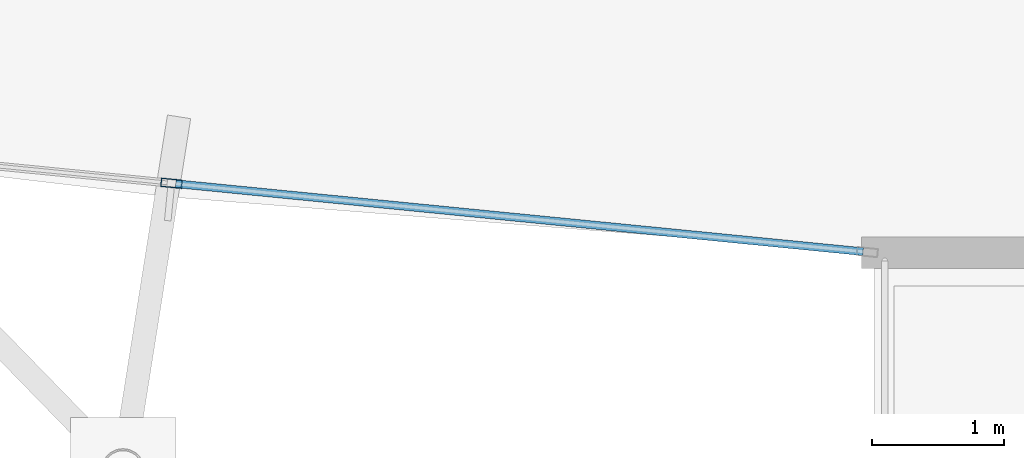
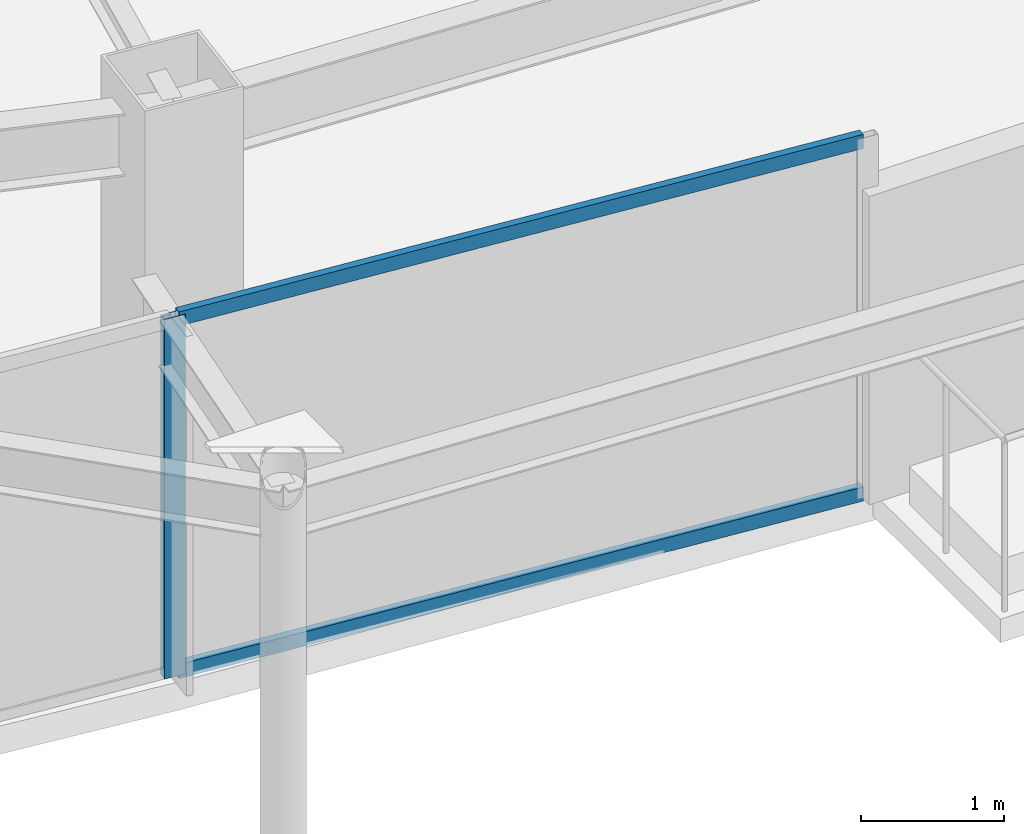
# One storey, part 4 of 34: 3 members, 1 element without a shape of its own.
"""IFC4 building model written with IfcOpenShell, lengths in metres."""

from ifc_helpers import new_model, si_unit, direction, frame, origin, origin_2d, place, context, subcontext, project, spatial, hollow_rectangle, extrude, material, layer, layer_set, material_profile, profile_set, type_object, element, aggregate, save


model = new_model("IFC4")

# Units and contexts
model_context = context("Model", 3, precision=1e-05, world=origin(), true_north=direction((0.0, 1.0)))
body_context = subcontext(model_context, "Body", "Model", "MODEL_VIEW")
ifc_project = project(units=[si_unit("LENGTHUNIT", "METRE"), si_unit("AREAUNIT", "SQUARE_METRE"), si_unit("VOLUMEUNIT", "CUBIC_METRE"), si_unit("PLANEANGLEUNIT", "RADIAN"), si_unit("MASSUNIT", "GRAM", prefix="KILO")], contexts=[model_context])

# Site, building, storey
site_placement = place(None, origin())
site = spatial("IfcSite", under=ifc_project, at=site_placement, CompositionType="ELEMENT")
building_placement = place(site_placement, origin())
building = spatial("IfcBuilding", under=site, at=building_placement, Name="Orvanel Arch Residences", CompositionType="ELEMENT")
storey_placement = place(building_placement, frame((0.0, 0.0, 203.0)))
storey = spatial("IfcBuildingStorey", under=building, at=storey_placement, Name="L57", CompositionType="ELEMENT", Elevation=203.0)

# Curtain wall, members
ifc_material = material(Name="Bronze-anodised aluminium AA6063-T6", Category="aluminium")
ifc_layer = layer(ifc_material, 0.175048828125)
ifc_layer_set = layer_set([ifc_layer], Name="Bronze-anodised aluminium AA6063-T6")
curtain_wall_type = type_object("IfcCurtainWallType", Name="CW4-HI-SYS", PredefinedType="NOTDEFINED", material=ifc_layer_set)
curtain_wall_placement = place(storey_placement, origin())
curtain_wall = element("IfcCurtainWall", 1, at=curtain_wall_placement, inside=storey, type_object=curtain_wall_type, Name="L57 CW4-HI-SYS Unitised Curtain Wall", PredefinedType="NOTDEFINED")
ifc_material_profile_1 = material_profile(ifc_material, hollow_rectangle(XDim=0.06494140625, YDim=0.159912109375, WallThickness=0.00390625, at=origin_2d()), Name="ALU160x65x4")
ifc_profile_set_1 = profile_set([ifc_material_profile_1], Name="Bronze-anodised aluminium AA6063-T6")
member_type_1 = type_object("IfcMemberType", Name="MUL-160x65", PredefinedType="MULLION", material=ifc_profile_set_1)
member_1_placement = place(storey_placement, frame((22.342529296875, 5.08203125, 0.0), z_axis=(0.0, 0.0, 1.0), x_axis=(0.098417861591, 0.99514517761, 0.0)))
member_1 = element("IfcMember", 2, at=member_1_placement, type_object=member_type_1, Name="CW-S4 mullion 2", PredefinedType="MULLION", context=body_context, shape_type="SweptSolid", body=[
    extrude(hollow_rectangle(XDim=0.06494140625, YDim=0.159912109375, WallThickness=0.00390625, at=origin_2d()), origin(), (0.0, 0.0, 1.0), 3.06005859375),
])
ifc_material_profile_2 = material_profile(ifc_material, hollow_rectangle(XDim=0.06005859375, YDim=0.1201171875, WallThickness=0.00341796875, at=origin_2d()), Name="ALU120x60x3.5")
ifc_profile_set_2 = profile_set([ifc_material_profile_2], Name="Bronze-anodised aluminium AA6063-T6")
member_type_2 = type_object("IfcMemberType", Name="TRN-120x60", PredefinedType="USERDEFINED", material=ifc_profile_set_2)
member_2_placement = place(storey_placement, frame((22.374755859375, 5.078857421875, 0.030029296875), z_axis=(0.995145978741, -0.098409760675, 0.0), x_axis=(0.098409760675, 0.995145978741, 0.0)))
member_2 = element("IfcMember", 3, at=member_2_placement, type_object=member_type_2, Name="CW-S4 transom 2.1", ObjectType="TRANSOM", PredefinedType="USERDEFINED", context=body_context, shape_type="SweptSolid", body=[
    extrude(hollow_rectangle(XDim=0.06005859375, YDim=0.1201171875, WallThickness=0.00341796875, at=origin_2d()), origin(), (0.0, 0.0, 1.0), 5.237060546875),
])
member_3_placement = place(storey_placement, frame((22.374755859375, 5.078857421875, 3.030029296875), z_axis=(0.995145978741, -0.098409760675, 0.0), x_axis=(0.098409760675, 0.995145978741, 0.0)))
member_3 = element("IfcMember", 4, at=member_3_placement, type_object=member_type_2, Name="CW-S4 transom 2.2", ObjectType="TRANSOM", PredefinedType="USERDEFINED", context=body_context, shape_type="SweptSolid", body=[
    extrude(hollow_rectangle(XDim=0.06005859375, YDim=0.1201171875, WallThickness=0.00341796875, at=origin_2d()), origin(), (0.0, 0.0, 1.0), 5.237060546875),
])
aggregate(curtain_wall, [member_1, member_2, member_3])

save(model, "model.ifc")
